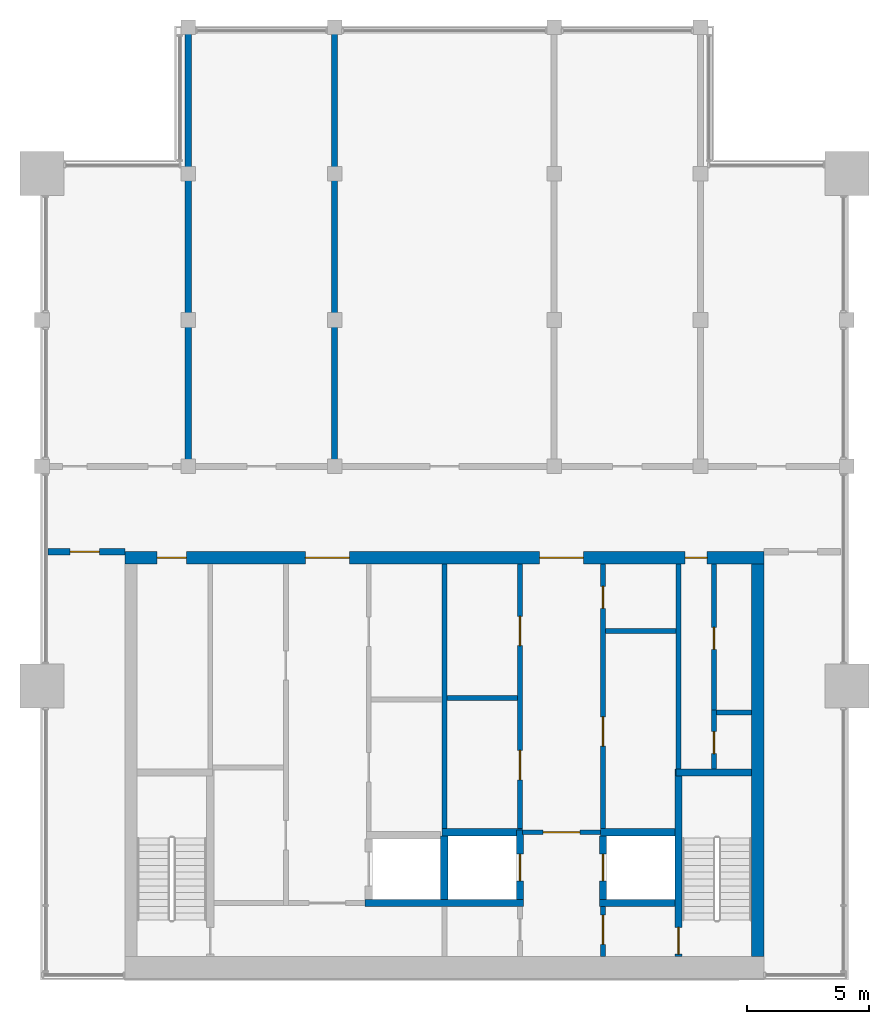
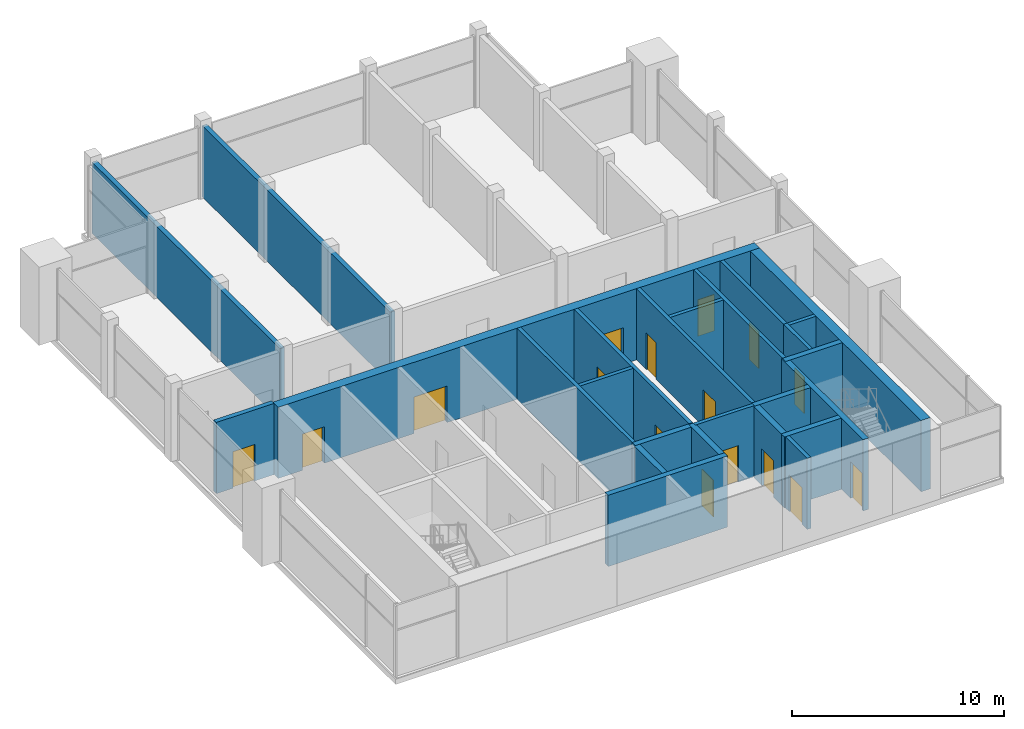
# One storey, part 7 of 9: 25 walls, 16 doors, 16 openings.
"""IFC4 building model written with IfcOpenShell, lengths in metres."""

from ifc_helpers import new_model, si_unit, direction, frame, frame_2d, origin, place, context, subcontext, project, spatial, rectangle, extrude, material, layer, layer_set, type_object, element, fill, save


model = new_model("IFC4")

# Units and contexts
model_context = context("Model", 3, precision=1e-05, world=origin(), true_north=direction((0.0, 1.0)))
body_context = subcontext(model_context, "Body", "Model", "MODEL_VIEW")
ifc_project = project(units=[si_unit("LENGTHUNIT", "METRE"), si_unit("AREAUNIT", "SQUARE_METRE"), si_unit("VOLUMEUNIT", "CUBIC_METRE"), si_unit("PLANEANGLEUNIT", "RADIAN"), si_unit("MASSUNIT", "GRAM", prefix="KILO")], contexts=[model_context])

# Site, building, storey
site_placement = place(None, origin())
site = spatial("IfcSite", under=ifc_project, at=site_placement, CompositionType="ELEMENT")
building_placement = place(site_placement, origin())
building = spatial("IfcBuilding", under=site, at=building_placement, Name="Finial Court Residences", CompositionType="ELEMENT")
storey_placement = place(building_placement, frame((0.0, 0.0, 307.699951171875)))
storey = spatial("IfcBuildingStorey", under=building, at=storey_placement, Name="L78", CompositionType="ELEMENT", Elevation=307.699951171875)

# Wall, openings, doors
ifc_material_1 = material(Name="Concrete C50/60", Category="concrete")
ifc_layer_1 = layer(ifc_material_1, 0.5)
ifc_layer_set_1 = layer_set([ifc_layer_1], Name="Core outer wall 500 Concrete C50/60")
wall_type_1 = type_object("IfcWallType", Name="Core outer wall 500 Concrete C50/60", PredefinedType="SHEAR", material=ifc_layer_set_1)
wall_1_placement = place(storey_placement, frame((-13.10009765625, -8.25, 0.0), z_axis=(0.0, 0.0, 1.0), x_axis=(1.0, 0.0, 0.0)))
wall_1 = element("IfcWall", 1, at=wall_1_placement, inside=storey, type_object=wall_type_1, Name="Core outer wall L78-02", PredefinedType="SHEAR", context=body_context, shape_type="SweptSolid", body=[
    extrude(rectangle(XDim=26.2001953125, YDim=0.5, at=frame_2d((13.10009765625, 0.0))), origin(), (0.0, 0.0, 1.0), 4.10009765625),
])
opening_1_placement = place(wall_1_placement, frame((7.39990234375, 0.0, 0.0)))
opening_1 = element("IfcOpeningElement", 2, at=opening_1_placement, cuts=wall_1, Name="Opening L78-C03", PredefinedType="OPENING", context=body_context, shape_type="SweptSolid", body=[
    extrude(rectangle(XDim=1.800048828125, YDim=2.10009765625, at=frame_2d((0.89990234375, 1.050048828125))), frame((0.0, 0.260009765625, 0.0), z_axis=(0.0, -1.0, 0.0), x_axis=(1.0, 0.0, 0.0)), (0.0, 0.0, 1.0), 0.52001953125),
])
opening_2_placement = place(wall_1_placement, frame((17.0, 0.0, 0.0)))
opening_2 = element("IfcOpeningElement", 3, at=opening_2_placement, cuts=wall_1, Name="Opening L78-C04", PredefinedType="OPENING", context=body_context, shape_type="SweptSolid", body=[
    extrude(rectangle(XDim=1.800048828125, YDim=2.10009765625, at=frame_2d((0.89990234375, 1.050048828125))), frame((0.0, 0.260009765625, 0.0), z_axis=(0.0, -1.0, 0.0), x_axis=(1.0, 0.0, 0.0)), (0.0, 0.0, 1.0), 0.52001953125),
])
opening_3_placement = place(wall_1_placement, frame((1.324951171875, 0.0, 0.0)))
opening_3 = element("IfcOpeningElement", 4, at=opening_3_placement, cuts=wall_1, Name="Opening L78-C15", PredefinedType="OPENING", context=body_context, shape_type="SweptSolid", body=[
    extrude(rectangle(XDim=1.199951171875, YDim=2.10009765625, at=frame_2d((0.60009765625, 1.050048828125))), frame((0.0, 0.260009765625, 0.0), z_axis=(0.0, -1.0, 0.0), x_axis=(1.0, 0.0, 0.0)), (0.0, 0.0, 1.0), 0.52001953125),
])
opening_4_placement = place(wall_1_placement, frame((22.97509765625, 0.0, 0.0)))
opening_4 = element("IfcOpeningElement", 5, at=opening_4_placement, cuts=wall_1, Name="Opening L78-C16", PredefinedType="OPENING", context=body_context, shape_type="SweptSolid", body=[
    extrude(rectangle(XDim=0.89990234375, YDim=2.10009765625, at=frame_2d((0.449951171875, 1.050048828125))), frame((0.0, 0.260009765625, 0.0), z_axis=(0.0, -1.0, 0.0), x_axis=(1.0, 0.0, 0.0)), (0.0, 0.0, 1.0), 0.52001953125),
])
ifc_material_2 = material(Name="Steel fire door", Category="steel")
door_type_1 = type_object("IfcDoorType", Name="Lift lobby door 1800 x 2100 EI 60", OperationType="DOUBLE_DOOR_SINGLE_SWING", PredefinedType="DOOR", material=ifc_material_2)
door_1_placement = place(opening_1_placement, origin())
door_1 = element("IfcDoor", 6, at=door_1_placement, inside=storey, type_object=door_type_1, Name="Lift lobby door L78-C03", OperationType="DOUBLE_DOOR_SINGLE_SWING", OverallHeight=2.10009765625, OverallWidth=1.800048828125, PredefinedType="DOOR", context=body_context, shape_type="SweptSolid", body=[
    extrude(rectangle(XDim=1.800048828125, YDim=2.10009765625, at=frame_2d((0.89990234375, 1.050048828125))), frame((0.0, 0.02490234375, 0.0), z_axis=(0.0, -1.0, 0.0), x_axis=(1.0, 0.0, 0.0)), (0.0, 0.0, 1.0), 0.050048828125),
])
fill(opening_1, door_1)
door_2_placement = place(opening_2_placement, origin())
door_2 = element("IfcDoor", 7, at=door_2_placement, inside=storey, type_object=door_type_1, Name="Lift lobby door L78-C04", OperationType="DOUBLE_DOOR_SINGLE_SWING", OverallHeight=2.10009765625, OverallWidth=1.800048828125, PredefinedType="DOOR", context=body_context, shape_type="SweptSolid", body=[
    extrude(rectangle(XDim=1.800048828125, YDim=2.10009765625, at=frame_2d((0.89990234375, 1.050048828125))), frame((0.0, 0.02490234375, 0.0), z_axis=(0.0, -1.0, 0.0), x_axis=(1.0, 0.0, 0.0)), (0.0, 0.0, 1.0), 0.050048828125),
])
fill(opening_2, door_2)
door_type_2 = type_object("IfcDoorType", Name="Riser room door 1200 x 2100 EI 90", OperationType="NOTDEFINED", PredefinedType="DOOR", material=ifc_material_2)
door_3_placement = place(opening_3_placement, origin())
door_3 = element("IfcDoor", 8, at=door_3_placement, inside=storey, type_object=door_type_2, Name="Riser room door L78-C15", OperationType="SINGLE_SWING_LEFT", OverallHeight=2.10009765625, OverallWidth=1.199951171875, PredefinedType="DOOR", context=body_context, shape_type="SweptSolid", body=[
    extrude(rectangle(XDim=1.199951171875, YDim=2.10009765625, at=frame_2d((0.60009765625, 1.050048828125))), frame((0.0, 0.02490234375, 0.0), z_axis=(0.0, -1.0, 0.0), x_axis=(1.0, 0.0, 0.0)), (0.0, 0.0, 1.0), 0.050048828125),
])
fill(opening_3, door_3)
door_type_3 = type_object("IfcDoorType", Name="Riser room door 900 x 2100 EI 90", OperationType="NOTDEFINED", PredefinedType="DOOR", material=ifc_material_2)
door_4_placement = place(opening_4_placement, origin())
door_4 = element("IfcDoor", 9, at=door_4_placement, inside=storey, type_object=door_type_3, Name="Riser room door L78-C16", OperationType="SINGLE_SWING_LEFT", OverallHeight=2.10009765625, OverallWidth=0.89990234375, PredefinedType="DOOR", context=body_context, shape_type="SweptSolid", body=[
    extrude(rectangle(XDim=0.89990234375, YDim=2.10009765625, at=frame_2d((0.449951171875, 1.050048828125))), frame((0.0, 0.02490234375, 0.0), z_axis=(0.0, -1.0, 0.0), x_axis=(1.0, 0.0, 0.0)), (0.0, 0.0, 1.0), 0.050048828125),
])
fill(opening_4, door_4)

# Wall
wall_2_placement = place(storey_placement, frame((12.85009765625, -24.60009765625, 0.0), z_axis=(0.0, 0.0, 1.0), x_axis=(0.0, 1.0, 0.0)))
element("IfcWall", 10, at=wall_2_placement, inside=storey, type_object=wall_type_1, Name="Core outer wall L78-04", PredefinedType="SHEAR", context=body_context, shape_type="SweptSolid", body=[
    extrude(rectangle(XDim=16.10009765625, YDim=0.5, at=frame_2d((8.050048828125, 0.0))), origin(), (0.0, 0.0, 1.0), 4.10009765625),
])

# Wall, opening, door
ifc_material_3 = material(Name="Fire-rated gypsum board partition")
ifc_layer_2 = layer(ifc_material_3, 0.199951171875)
ifc_layer_set_2 = layer_set([ifc_layer_2], Name="Firefighting lobby wall 200 EI 120")
wall_type_2 = type_object("IfcWallType", Name="Firefighting lobby wall 200 EI 120", PredefinedType="PARTITIONING", material=ifc_layer_set_2)
wall_3_placement = place(storey_placement, frame((6.39990234375, -19.5, 0.0), z_axis=(0.0, 0.0, 1.0), x_axis=(-1.0, 0.0, 0.0)))
wall_3 = element("IfcWall", 11, at=wall_3_placement, inside=storey, type_object=wall_type_2, Name="Core partition L78-07", PredefinedType="PARTITIONING", context=body_context, shape_type="SweptSolid", body=[
    extrude(rectangle(XDim=3.199951171875, YDim=0.199951171875, at=frame_2d((1.60009765625, 0.0))), origin(), (0.0, 0.0, 1.0), 4.10009765625),
])
opening_5_placement = place(wall_3_placement, frame((0.85009765625, 0.0, 0.0)))
opening_5 = element("IfcOpeningElement", 12, at=opening_5_placement, cuts=wall_3, Name="Opening L78-C02", PredefinedType="OPENING", context=body_context, shape_type="SweptSolid", body=[
    extrude(rectangle(XDim=1.5, YDim=2.10009765625, at=frame_2d((0.75, 1.050048828125))), frame((0.0, 0.10986328125, 0.0), z_axis=(0.0, -1.0, 0.0), x_axis=(1.0, 0.0, 0.0)), (0.0, 0.0, 1.0), 0.219970703125),
])
door_type_4 = type_object("IfcDoorType", Name="Firefighting lobby door 1500 x 2100 EI 90", OperationType="DOUBLE_DOOR_SINGLE_SWING", PredefinedType="DOOR", material=ifc_material_2)
door_5_placement = place(opening_5_placement, origin())
door_5 = element("IfcDoor", 13, at=door_5_placement, inside=storey, type_object=door_type_4, Name="Firefighting lobby door L78-C02", OperationType="DOUBLE_DOOR_SINGLE_SWING", OverallHeight=2.10009765625, OverallWidth=1.5, PredefinedType="DOOR", context=body_context, shape_type="SweptSolid", body=[
    extrude(rectangle(XDim=1.5, YDim=2.10009765625, at=frame_2d((0.75, 1.050048828125))), frame((0.0, 0.02490234375, 0.0), z_axis=(0.0, -1.0, 0.0), x_axis=(1.0, 0.0, 0.0)), (0.0, 0.0, 1.0), 0.050048828125),
])
fill(opening_5, door_5)

wall_4_placement = place(storey_placement, frame((6.5, -22.550048828125, 0.0), z_axis=(0.0, 0.0, 1.0), x_axis=(0.0, -1.0, 0.0)))
wall_4 = element("IfcWall", 14, at=wall_4_placement, inside=storey, type_object=wall_type_2, Name="Core partition L78-27", PredefinedType="PARTITIONING", context=body_context, shape_type="SweptSolid", body=[
    extrude(rectangle(XDim=2.050048828125, YDim=0.199951171875, at=frame_2d((1.02490234375, 0.0))), origin(), (0.0, 0.0, 1.0), 4.10009765625),
])
opening_6_placement = place(wall_4_placement, frame((0.35009765625, 0.0, 0.0)))
opening_6 = element("IfcOpeningElement", 15, at=opening_6_placement, cuts=wall_4, Name="Opening L78-C01", PredefinedType="OPENING", context=body_context, shape_type="SweptSolid", body=[
    extrude(rectangle(XDim=1.199951171875, YDim=2.10009765625, at=frame_2d((0.60009765625, 1.050048828125))), frame((0.0, 0.10986328125, 0.0), z_axis=(0.0, -1.0, 0.0), x_axis=(1.0, 0.0, 0.0)), (0.0, 0.0, 1.0), 0.219970703125),
])
door_type_5 = type_object("IfcDoorType", Name="Firefighting lobby door 1200 x 2100 EI 90", OperationType="NOTDEFINED", PredefinedType="DOOR", material=ifc_material_2)
door_6_placement = place(opening_6_placement, origin())
door_6 = element("IfcDoor", 16, at=door_6_placement, inside=storey, type_object=door_type_5, Name="Firefighting lobby door L78-C01", OperationType="SINGLE_SWING_RIGHT", OverallHeight=2.10009765625, OverallWidth=1.199951171875, PredefinedType="DOOR", context=body_context, shape_type="SweptSolid", body=[
    extrude(rectangle(XDim=1.199951171875, YDim=2.10009765625, at=frame_2d((0.60009765625, 1.050048828125))), frame((0.0, 0.02490234375, 0.0), z_axis=(0.0, -1.0, 0.0), x_axis=(1.0, 0.0, 0.0)), (0.0, 0.0, 1.0), 0.050048828125),
])
fill(opening_6, door_6)

# Walls
ifc_layer_3 = layer(ifc_material_1, 0.300048828125)
ifc_layer_set_3 = layer_set([ifc_layer_3], Name="Lift shaft and stair wall 300 Concrete C50/60")
wall_type_3 = type_object("IfcWallType", Name="Lift shaft and stair wall 300 Concrete C50/60", PredefinedType="SHEAR", material=ifc_layer_set_3)
wall_5_placement = place(storey_placement, frame((-3.25, -22.39990234375, 0.0), z_axis=(0.0, 0.0, 1.0), x_axis=(1.0, 0.0, 0.0)))
element("IfcWall", 17, at=wall_5_placement, inside=storey, type_object=wall_type_3, Name="Core wall L78-03", PredefinedType="SHEAR", context=body_context, shape_type="SweptSolid", body=[
    extrude(rectangle(XDim=6.5, YDim=0.300048828125, at=frame_2d((3.25, 0.0))), origin(), (0.0, 0.0, 1.0), 4.10009765625),
])
wall_6_placement = place(storey_placement, frame((6.35009765625, -22.39990234375, 0.0), z_axis=(0.0, 0.0, 1.0), x_axis=(1.0, 0.0, 0.0)))
element("IfcWall", 18, at=wall_6_placement, inside=storey, type_object=wall_type_3, Name="Core wall L78-04", PredefinedType="SHEAR", context=body_context, shape_type="SweptSolid", body=[
    extrude(rectangle(XDim=3.099853515625, YDim=0.300048828125, at=frame_2d((1.5498046875, 0.0))), origin(), (0.0, 0.0, 1.0), 4.10009765625),
])
wall_7_placement = place(storey_placement, frame((-0.10009765625, -19.5, 0.0), z_axis=(0.0, 0.0, 1.0), x_axis=(1.0, 0.0, 0.0)))
element("IfcWall", 19, at=wall_7_placement, inside=storey, type_object=wall_type_3, Name="Core wall L78-06", PredefinedType="SHEAR", context=body_context, shape_type="SweptSolid", body=[
    extrude(rectangle(XDim=3.300048828125, YDim=0.300048828125, at=frame_2d((1.64990234375, 0.0))), origin(), (0.0, 0.0, 1.0), 4.10009765625),
])
wall_8_placement = place(storey_placement, frame((6.39990234375, -19.5, 0.0), z_axis=(0.0, 0.0, 1.0), x_axis=(1.0, 0.0, 0.0)))
element("IfcWall", 20, at=wall_8_placement, inside=storey, type_object=wall_type_3, Name="Core wall L78-08", PredefinedType="SHEAR", context=body_context, shape_type="SweptSolid", body=[
    extrude(rectangle(XDim=3.050048828125, YDim=0.300048828125, at=frame_2d((1.52490234375, 0.0))), origin(), (0.0, 0.0, 1.0), 4.10009765625),
])
wall_9_placement = place(storey_placement, frame((9.5, -17.050048828125, 0.0), z_axis=(0.0, 0.0, 1.0), x_axis=(1.0, 0.0, 0.0)))
element("IfcWall", 21, at=wall_9_placement, inside=storey, type_object=wall_type_3, Name="Core wall L78-10", PredefinedType="SHEAR", context=body_context, shape_type="SweptSolid", body=[
    extrude(rectangle(XDim=3.10009765625, YDim=0.300048828125, at=frame_2d((1.550048828125, 0.0))), origin(), (0.0, 0.0, 1.0), 4.10009765625),
])
wall_10_placement = place(storey_placement, frame((0.0, -22.25, 0.0), z_axis=(0.0, 0.0, 1.0), x_axis=(0.0, 1.0, 0.0)))
element("IfcWall", 22, at=wall_10_placement, inside=storey, type_object=wall_type_3, Name="Core wall L78-22", PredefinedType="SHEAR", context=body_context, shape_type="SweptSolid", body=[
    extrude(rectangle(XDim=2.60009765625, YDim=0.300048828125, at=frame_2d((1.300048828125, 0.0))), origin(), (0.0, 0.0, 1.0), 4.10009765625),
])

# Wall, opening, door
wall_11_placement = place(storey_placement, frame((3.10009765625, -22.25, 0.0), z_axis=(0.0, 0.0, 1.0), x_axis=(0.0, 1.0, 0.0)))
wall_11 = element("IfcWall", 23, at=wall_11_placement, inside=storey, type_object=wall_type_3, Name="Core wall L78-25", PredefinedType="SHEAR", context=body_context, shape_type="SweptSolid", body=[
    extrude(rectangle(XDim=2.85009765625, YDim=0.300048828125, at=frame_2d((1.425048828125, 0.0))), origin(), (0.0, 0.0, 1.0), 4.10009765625),
])
opening_7_placement = place(wall_11_placement, frame((0.75, 0.0, 0.0)))
opening_7 = element("IfcOpeningElement", 24, at=opening_7_placement, cuts=wall_11, Name="Opening L78-LD01", PredefinedType="OPENING", context=body_context, shape_type="SweptSolid", body=[
    extrude(rectangle(XDim=1.10009765625, YDim=2.10009765625, at=frame_2d((0.550048828125, 1.050048828125))), frame((0.0, 0.159912109375, 0.0), z_axis=(0.0, -1.0, 0.0), x_axis=(1.0, 0.0, 0.0)), (0.0, 0.0, 1.0), 0.320068359375),
])
ifc_material_4 = material(Name="Stainless steel lift door", Category="steel")
door_type_6 = type_object("IfcDoorType", Name="Lift landing door 1100 x 2100 EI 90", OperationType="DOUBLE_DOOR_SLIDING", PredefinedType="DOOR", material=ifc_material_4)
door_7_placement = place(opening_7_placement, origin())
door_7 = element("IfcDoor", 25, at=door_7_placement, inside=storey, type_object=door_type_6, Name="Lift landing door FF1 L78", OperationType="DOUBLE_DOOR_SLIDING", OverallHeight=2.10009765625, OverallWidth=1.10009765625, PredefinedType="DOOR", context=body_context, shape_type="SweptSolid", body=[
    extrude(rectangle(XDim=1.10009765625, YDim=2.10009765625, at=frame_2d((0.550048828125, 1.050048828125))), frame((0.0, 0.02490234375, 0.0), z_axis=(0.0, -1.0, 0.0), x_axis=(1.0, 0.0, 0.0)), (0.0, 0.0, 1.0), 0.050048828125),
])
fill(opening_7, door_7)

wall_12_placement = place(storey_placement, frame((6.5, -22.25, 0.0), z_axis=(0.0, 0.0, 1.0), x_axis=(0.0, 1.0, 0.0)))
wall_12 = element("IfcWall", 26, at=wall_12_placement, inside=storey, type_object=wall_type_3, Name="Core wall L78-28", PredefinedType="SHEAR", context=body_context, shape_type="SweptSolid", body=[
    extrude(rectangle(XDim=2.60009765625, YDim=0.300048828125, at=frame_2d((1.300048828125, 0.0))), origin(), (0.0, 0.0, 1.0), 4.10009765625),
])
opening_8_placement = place(wall_12_placement, frame((0.75, 0.0, 0.0)))
opening_8 = element("IfcOpeningElement", 27, at=opening_8_placement, cuts=wall_12, Name="Opening L78-LD02", PredefinedType="OPENING", context=body_context, shape_type="SweptSolid", body=[
    extrude(rectangle(XDim=1.10009765625, YDim=2.10009765625, at=frame_2d((0.550048828125, 1.050048828125))), frame((0.0, 0.159912109375, 0.0), z_axis=(0.0, -1.0, 0.0), x_axis=(1.0, 0.0, 0.0)), (0.0, 0.0, 1.0), 0.320068359375),
])
door_8_placement = place(opening_8_placement, origin())
door_8 = element("IfcDoor", 28, at=door_8_placement, inside=storey, type_object=door_type_6, Name="Lift landing door FF2 L78", OperationType="DOUBLE_DOOR_SLIDING", OverallHeight=2.10009765625, OverallWidth=1.10009765625, PredefinedType="DOOR", context=body_context, shape_type="SweptSolid", body=[
    extrude(rectangle(XDim=1.10009765625, YDim=2.10009765625, at=frame_2d((0.550048828125, 1.050048828125))), frame((0.0, 0.02490234375, 0.0), z_axis=(0.0, -1.0, 0.0), x_axis=(1.0, 0.0, 0.0)), (0.0, 0.0, 1.0), 0.050048828125),
])
fill(opening_8, door_8)

wall_13_placement = place(storey_placement, frame((9.60009765625, -16.89990234375, 0.0), z_axis=(0.0, 0.0, 1.0), x_axis=(0.0, -1.0, 0.0)))
wall_13 = element("IfcWall", 29, at=wall_13_placement, inside=storey, type_object=wall_type_3, Name="Core wall L78-30", PredefinedType="SHEAR", context=body_context, shape_type="SweptSolid", body=[
    extrude(rectangle(XDim=7.7001953125, YDim=0.300048828125, at=frame_2d((3.85009765625, 0.0))), origin(), (0.0, 0.0, 1.0), 4.10009765625),
])
opening_9_placement = place(wall_13_placement, frame((6.5, 0.0, 0.0)))
opening_9 = element("IfcOpeningElement", 30, at=opening_9_placement, cuts=wall_13, Name="Opening L78-C20", PredefinedType="OPENING", context=body_context, shape_type="SweptSolid", body=[
    extrude(rectangle(XDim=1.10009765625, YDim=2.10009765625, at=frame_2d((0.550048828125, 1.050048828125))), frame((0.0, 0.159912109375, 0.0), z_axis=(0.0, -1.0, 0.0), x_axis=(1.0, 0.0, 0.0)), (0.0, 0.0, 1.0), 0.320068359375),
])
door_type_7 = type_object("IfcDoorType", Name="Stair door 1100 x 2100 EI 90", OperationType="NOTDEFINED", PredefinedType="DOOR", material=ifc_material_2)
door_9_placement = place(opening_9_placement, origin())
door_9 = element("IfcDoor", 31, at=door_9_placement, inside=storey, type_object=door_type_7, Name="Stair door L78-C20", OperationType="SINGLE_SWING_RIGHT", OverallHeight=2.10009765625, OverallWidth=1.10009765625, PredefinedType="DOOR", context=body_context, shape_type="SweptSolid", body=[
    extrude(rectangle(XDim=1.10009765625, YDim=2.10009765625, at=frame_2d((0.550048828125, 1.050048828125))), frame((0.0, 0.02490234375, 0.0), z_axis=(0.0, -1.0, 0.0), x_axis=(1.0, 0.0, 0.0)), (0.0, 0.0, 1.0), 0.050048828125),
])
fill(opening_9, door_9)

ifc_material_5 = material(Name="Fire-rated board")
ifc_layer_4 = layer(ifc_material_5, 0.050048828125)
ifc_material_6 = material(Name="Mineral wool in double frame")
ifc_layer_5 = layer(ifc_material_6, 0.14990234375)
ifc_layer_6 = layer(ifc_material_5, 0.050048828125)
ifc_layer_set_4 = layer_set([ifc_layer_4, ifc_layer_5, ifc_layer_6], Name="Plant room wall 250, 2 hour")
wall_type_4 = type_object("IfcWallType", Name="Plant room wall 250, 2 hour", PredefinedType="PARTITIONING", material=ifc_layer_set_4)
wall_14_placement = place(storey_placement, frame((-16.25, -8.0, 0.0), z_axis=(0.0, 0.0, 1.0), x_axis=(1.0, 0.0, 0.0)))
wall_14 = element("IfcWall", 32, at=wall_14_placement, inside=storey, type_object=wall_type_4, Name="Partition L78-000", PredefinedType="PARTITIONING", context=body_context, shape_type="SweptSolid", body=[
    extrude(rectangle(XDim=3.14990234375, YDim=0.25, at=frame_2d((1.574951171875, 0.0))), origin(), (0.0, 0.0, 1.0), 4.10009765625),
])
opening_10_placement = place(wall_14_placement, frame((0.89990234375, 0.0, 0.0)))
opening_10 = element("IfcOpeningElement", 33, at=opening_10_placement, cuts=wall_14, Name="Opening L78-D001", PredefinedType="OPENING", context=body_context, shape_type="SweptSolid", body=[
    extrude(rectangle(XDim=1.199951171875, YDim=2.10009765625, at=frame_2d((0.60009765625, 1.050048828125))), frame((0.0, 0.135009765625, 0.0), z_axis=(0.0, -1.0, 0.0), x_axis=(1.0, 0.0, 0.0)), (0.0, 0.0, 1.0), 0.27001953125),
])
ifc_material_7 = material(Name="Timber door leaf in hollow metal frame", Category="wood")
door_type_8 = type_object("IfcDoorType", Name="Fire door set 1200 x 2100, 60 minutes", OperationType="SINGLE_SWING_LEFT", PredefinedType="DOOR", material=ifc_material_7)
door_10_placement = place(opening_10_placement, origin())
door_10 = element("IfcDoor", 34, at=door_10_placement, inside=storey, type_object=door_type_8, Name="Door L78-D001", OperationType="SINGLE_SWING_RIGHT", OverallHeight=2.10009765625, OverallWidth=1.199951171875, PredefinedType="DOOR", context=body_context, shape_type="SweptSolid", body=[
    extrude(rectangle(XDim=1.199951171875, YDim=2.10009765625, at=frame_2d((0.60009765625, 1.050048828125))), frame((0.0, 0.02490234375, 0.0), z_axis=(0.0, -1.0, 0.0), x_axis=(1.0, 0.0, 0.0)), (0.0, 0.0, 1.0), 0.050048828125),
])
fill(opening_10, door_10)

# Walls
for number, where, z_axis, x_axis, name in (
    (35, (-10.5, -4.375, 0.0), (0.0, 0.0, 1.0), (0.0, 1.0, 0.0), "Partition L78-003"),
    (36, (-4.5, -4.375, 0.0), (0.0, 0.0, 1.0), (0.0, 1.0, 0.0), "Partition L78-004"),
):
    element("IfcWall", number, at=place(storey_placement, frame(where, z_axis=z_axis, x_axis=x_axis)), inside=storey, type_object=wall_type_4, Name=name, PredefinedType="PARTITIONING", context=body_context, shape_type="SweptSolid", body=[
        extrude(rectangle(XDim=17.72509765625, YDim=0.25, at=frame_2d((8.862548828125, 0.0))), origin(), (0.0, 0.0, 1.0), 4.10009765625),
    ])
ifc_layer_7 = layer(ifc_material_3, 0.199951171875)
ifc_layer_set_5 = layer_set([ifc_layer_7], Name="Riser room wall 200 EI 120")
wall_type_5 = type_object("IfcWallType", Name="Riser room wall 200 EI 120", PredefinedType="PARTITIONING", material=ifc_layer_set_5)
wall_15_placement = place(storey_placement, frame((11.14990234375, -14.60009765625, 0.0), z_axis=(0.0, 0.0, 1.0), x_axis=(1.0, 0.0, 0.0)))
element("IfcWall", 37, at=wall_15_placement, inside=storey, type_object=wall_type_5, Name="Core partition L78-12", PredefinedType="PARTITIONING", context=body_context, shape_type="SweptSolid", body=[
    extrude(rectangle(XDim=1.4501953125, YDim=0.199951171875, at=frame_2d((0.72509765625, 0.0))), origin(), (0.0, 0.0, 1.0), 4.10009765625),
])
for number, where, z_axis, x_axis, name in (
    (38, (0.10009765625, -14.0, 0.0), (0.0, 0.0, 1.0), (1.0, 0.0, 0.0), "Core partition L78-14"),
    (39, (6.60009765625, -11.25, 0.0), (0.0, 0.0, 1.0), (1.0, 0.0, 0.0), "Core partition L78-15"),
):
    element("IfcWall", number, at=place(storey_placement, frame(where, z_axis=z_axis, x_axis=x_axis)), inside=storey, type_object=wall_type_5, Name=name, PredefinedType="PARTITIONING", context=body_context, shape_type="SweptSolid", body=[
        extrude(rectangle(XDim=2.89990234375, YDim=0.199951171875, at=frame_2d((1.449951171875, 0.0))), origin(), (0.0, 0.0, 1.0), 4.10009765625),
    ])
wall_16_placement = place(storey_placement, frame((0.0, -19.35009765625, 0.0), z_axis=(0.0, 0.0, 1.0), x_axis=(0.0, 1.0, 0.0)))
element("IfcWall", 40, at=wall_16_placement, inside=storey, type_object=wall_type_5, Name="Core partition L78-23", PredefinedType="PARTITIONING", context=body_context, shape_type="SweptSolid", body=[
    extrude(rectangle(XDim=10.85009765625, YDim=0.199951171875, at=frame_2d((5.425048828125, 0.0))), origin(), (0.0, 0.0, 1.0), 4.10009765625),
])

# Wall, openings, doors
wall_17_placement = place(storey_placement, frame((3.10009765625, -19.60009765625, 0.0), z_axis=(0.0, 0.0, 1.0), x_axis=(0.0, 1.0, 0.0)))
wall_17 = element("IfcWall", 41, at=wall_17_placement, inside=storey, type_object=wall_type_5, Name="Core partition L78-26", PredefinedType="PARTITIONING", context=body_context, shape_type="SweptSolid", body=[
    extrude(rectangle(XDim=11.10009765625, YDim=0.199951171875, at=frame_2d((5.550048828125, 0.0))), origin(), (0.0, 0.0, 1.0), 4.10009765625),
])
opening_11_placement = place(wall_17_placement, frame((2.25, 0.0, 0.0)))
opening_11 = element("IfcOpeningElement", 42, at=opening_11_placement, cuts=wall_17, Name="Opening L78-C11", PredefinedType="OPENING", context=body_context, shape_type="SweptSolid", body=[
    extrude(rectangle(XDim=1.199951171875, YDim=2.10009765625, at=frame_2d((0.60009765625, 1.050048828125))), frame((0.0, 0.10986328125, 0.0), z_axis=(0.0, -1.0, 0.0), x_axis=(1.0, 0.0, 0.0)), (0.0, 0.0, 1.0), 0.219970703125),
])
opening_12_placement = place(wall_17_placement, frame((7.75, 0.0, 0.0)))
opening_12 = element("IfcOpeningElement", 43, at=opening_12_placement, cuts=wall_17, Name="Opening L78-C12", PredefinedType="OPENING", context=body_context, shape_type="SweptSolid", body=[
    extrude(rectangle(XDim=1.199951171875, YDim=2.10009765625, at=frame_2d((0.60009765625, 1.050048828125))), frame((0.0, 0.10986328125, 0.0), z_axis=(0.0, -1.0, 0.0), x_axis=(1.0, 0.0, 0.0)), (0.0, 0.0, 1.0), 0.219970703125),
])
door_11_placement = place(opening_11_placement, origin())
door_11 = element("IfcDoor", 44, at=door_11_placement, inside=storey, type_object=door_type_2, Name="Riser room door L78-C11", OperationType="SINGLE_SWING_LEFT", OverallHeight=2.10009765625, OverallWidth=1.199951171875, PredefinedType="DOOR", context=body_context, shape_type="SweptSolid", body=[
    extrude(rectangle(XDim=1.199951171875, YDim=2.10009765625, at=frame_2d((0.60009765625, 1.050048828125))), frame((0.0, 0.02490234375, 0.0), z_axis=(0.0, -1.0, 0.0), x_axis=(1.0, 0.0, 0.0)), (0.0, 0.0, 1.0), 0.050048828125),
])
fill(opening_11, door_11)
door_12_placement = place(opening_12_placement, origin())
door_12 = element("IfcDoor", 45, at=door_12_placement, inside=storey, type_object=door_type_2, Name="Riser room door L78-C12", OperationType="SINGLE_SWING_LEFT", OverallHeight=2.10009765625, OverallWidth=1.199951171875, PredefinedType="DOOR", context=body_context, shape_type="SweptSolid", body=[
    extrude(rectangle(XDim=1.199951171875, YDim=2.10009765625, at=frame_2d((0.60009765625, 1.050048828125))), frame((0.0, 0.02490234375, 0.0), z_axis=(0.0, -1.0, 0.0), x_axis=(1.0, 0.0, 0.0)), (0.0, 0.0, 1.0), 0.050048828125),
])
fill(opening_12, door_12)

wall_18_placement = place(storey_placement, frame((6.5, -8.5, 0.0), z_axis=(0.0, 0.0, 1.0), x_axis=(0.0, -1.0, 0.0)))
wall_18 = element("IfcWall", 46, at=wall_18_placement, inside=storey, type_object=wall_type_5, Name="Core partition L78-29", PredefinedType="PARTITIONING", context=body_context, shape_type="SweptSolid", body=[
    extrude(rectangle(XDim=10.85009765625, YDim=0.199951171875, at=frame_2d((5.425048828125, 0.0))), origin(), (0.0, 0.0, 1.0), 4.10009765625),
])
opening_13_placement = place(wall_18_placement, frame((6.27490234375, 0.0, 0.0)))
opening_13 = element("IfcOpeningElement", 47, at=opening_13_placement, cuts=wall_18, Name="Opening L78-C13", PredefinedType="OPENING", context=body_context, shape_type="SweptSolid", body=[
    extrude(rectangle(XDim=1.199951171875, YDim=2.10009765625, at=frame_2d((0.60009765625, 1.050048828125))), frame((0.0, 0.10986328125, 0.0), z_axis=(0.0, -1.0, 0.0), x_axis=(1.0, 0.0, 0.0)), (0.0, 0.0, 1.0), 0.219970703125),
])
opening_14_placement = place(wall_18_placement, frame((0.925048828125, 0.0, 0.0)))
opening_14 = element("IfcOpeningElement", 48, at=opening_14_placement, cuts=wall_18, Name="Opening L78-C14", PredefinedType="OPENING", context=body_context, shape_type="SweptSolid", body=[
    extrude(rectangle(XDim=0.89990234375, YDim=2.10009765625, at=frame_2d((0.449951171875, 1.050048828125))), frame((0.0, 0.10986328125, 0.0), z_axis=(0.0, -1.0, 0.0), x_axis=(1.0, 0.0, 0.0)), (0.0, 0.0, 1.0), 0.219970703125),
])
door_13_placement = place(opening_13_placement, origin())
door_13 = element("IfcDoor", 49, at=door_13_placement, inside=storey, type_object=door_type_2, Name="Riser room door L78-C13", OperationType="SINGLE_SWING_RIGHT", OverallHeight=2.10009765625, OverallWidth=1.199951171875, PredefinedType="DOOR", context=body_context, shape_type="SweptSolid", body=[
    extrude(rectangle(XDim=1.199951171875, YDim=2.10009765625, at=frame_2d((0.60009765625, 1.050048828125))), frame((0.0, 0.02490234375, 0.0), z_axis=(0.0, -1.0, 0.0), x_axis=(1.0, 0.0, 0.0)), (0.0, 0.0, 1.0), 0.050048828125),
])
fill(opening_13, door_13)
door_14_placement = place(opening_14_placement, origin())
door_14 = element("IfcDoor", 50, at=door_14_placement, inside=storey, type_object=door_type_3, Name="Riser room door L78-C14", OperationType="SINGLE_SWING_RIGHT", OverallHeight=2.10009765625, OverallWidth=0.89990234375, PredefinedType="DOOR", context=body_context, shape_type="SweptSolid", body=[
    extrude(rectangle(XDim=0.89990234375, YDim=2.10009765625, at=frame_2d((0.449951171875, 1.050048828125))), frame((0.0, 0.02490234375, 0.0), z_axis=(0.0, -1.0, 0.0), x_axis=(1.0, 0.0, 0.0)), (0.0, 0.0, 1.0), 0.050048828125),
])
fill(opening_14, door_14)

# Wall
wall_19_placement = place(storey_placement, frame((9.60009765625, -16.89990234375, 0.0), z_axis=(0.0, 0.0, 1.0), x_axis=(0.0, 1.0, 0.0)))
element("IfcWall", 51, at=wall_19_placement, inside=storey, type_object=wall_type_5, Name="Core partition L78-31", PredefinedType="PARTITIONING", context=body_context, shape_type="SweptSolid", body=[
    extrude(rectangle(XDim=8.39990234375, YDim=0.199951171875, at=frame_2d((4.199951171875, 0.0))), origin(), (0.0, 0.0, 1.0), 4.10009765625),
])

# Wall, opening, door
wall_20_placement = place(storey_placement, frame((11.050048828125, -8.5, 0.0), z_axis=(0.0, 0.0, 1.0), x_axis=(0.0, -1.0, 0.0)))
wall_20 = element("IfcWall", 52, at=wall_20_placement, inside=storey, type_object=wall_type_5, Name="Core partition L78-33", PredefinedType="PARTITIONING", context=body_context, shape_type="SweptSolid", body=[
    extrude(rectangle(XDim=6.199951171875, YDim=0.199951171875, at=frame_2d((3.10009765625, 0.0))), origin(), (0.0, 0.0, 1.0), 4.10009765625),
])
opening_15_placement = place(wall_20_placement, frame((2.60009765625, 0.0, 0.0)))
opening_15 = element("IfcOpeningElement", 53, at=opening_15_placement, cuts=wall_20, Name="Opening L78-C06", PredefinedType="OPENING", context=body_context, shape_type="SweptSolid", body=[
    extrude(rectangle(XDim=0.89990234375, YDim=2.10009765625, at=frame_2d((0.449951171875, 1.050048828125))), frame((0.0, 0.10986328125, 0.0), z_axis=(0.0, -1.0, 0.0), x_axis=(1.0, 0.0, 0.0)), (0.0, 0.0, 1.0), 0.219970703125),
])
door_15_placement = place(opening_15_placement, origin())
door_15 = element("IfcDoor", 54, at=door_15_placement, inside=storey, type_object=door_type_3, Name="Riser room door L78-C06", OperationType="SINGLE_SWING_RIGHT", OverallHeight=2.10009765625, OverallWidth=0.89990234375, PredefinedType="DOOR", context=body_context, shape_type="SweptSolid", body=[
    extrude(rectangle(XDim=0.89990234375, YDim=2.10009765625, at=frame_2d((0.449951171875, 1.050048828125))), frame((0.0, 0.02490234375, 0.0), z_axis=(0.0, -1.0, 0.0), x_axis=(1.0, 0.0, 0.0)), (0.0, 0.0, 1.0), 0.050048828125),
])
fill(opening_15, door_15)

ifc_layer_8 = layer(ifc_material_3, 0.199951171875)
ifc_layer_set_6 = layer_set([ifc_layer_8], Name="Stair passage wall 200 EI 180")
wall_type_6 = type_object("IfcWallType", Name="Stair passage wall 200 EI 180", PredefinedType="PARTITIONING", material=ifc_layer_set_6)
wall_21_placement = place(storey_placement, frame((11.050048828125, -14.5, 0.0), z_axis=(0.0, 0.0, 1.0), x_axis=(0.0, -1.0, 0.0)))
wall_21 = element("IfcWall", 55, at=wall_21_placement, inside=storey, type_object=wall_type_6, Name="Core partition L78-32", PredefinedType="PARTITIONING", context=body_context, shape_type="SweptSolid", body=[
    extrude(rectangle(XDim=2.39990234375, YDim=0.199951171875, at=frame_2d((1.199951171875, 0.0))), origin(), (0.0, 0.0, 1.0), 4.10009765625),
])
opening_16_placement = place(wall_21_placement, frame((0.875, 0.0, 0.0)))
opening_16 = element("IfcOpeningElement", 56, at=opening_16_placement, cuts=wall_21, Name="Opening L78-C18", PredefinedType="OPENING", context=body_context, shape_type="SweptSolid", body=[
    extrude(rectangle(XDim=0.89990234375, YDim=2.10009765625, at=frame_2d((0.449951171875, 1.050048828125))), frame((0.0, 0.10986328125, 0.0), z_axis=(0.0, -1.0, 0.0), x_axis=(1.0, 0.0, 0.0)), (0.0, 0.0, 1.0), 0.219970703125),
])
door_type_9 = type_object("IfcDoorType", Name="Core room door 900 x 2100 EI 60", OperationType="NOTDEFINED", PredefinedType="DOOR", material=ifc_material_2)
door_16_placement = place(opening_16_placement, origin())
door_16 = element("IfcDoor", 57, at=door_16_placement, inside=storey, type_object=door_type_9, Name="Core room door L78-C18", OperationType="SINGLE_SWING_LEFT", OverallHeight=2.10009765625, OverallWidth=0.89990234375, PredefinedType="DOOR", context=body_context, shape_type="SweptSolid", body=[
    extrude(rectangle(XDim=0.89990234375, YDim=2.10009765625, at=frame_2d((0.449951171875, 1.050048828125))), frame((0.0, 0.02490234375, 0.0), z_axis=(0.0, -1.0, 0.0), x_axis=(1.0, 0.0, 0.0)), (0.0, 0.0, 1.0), 0.050048828125),
])
fill(opening_16, door_16)

save(model, "model.ifc")
